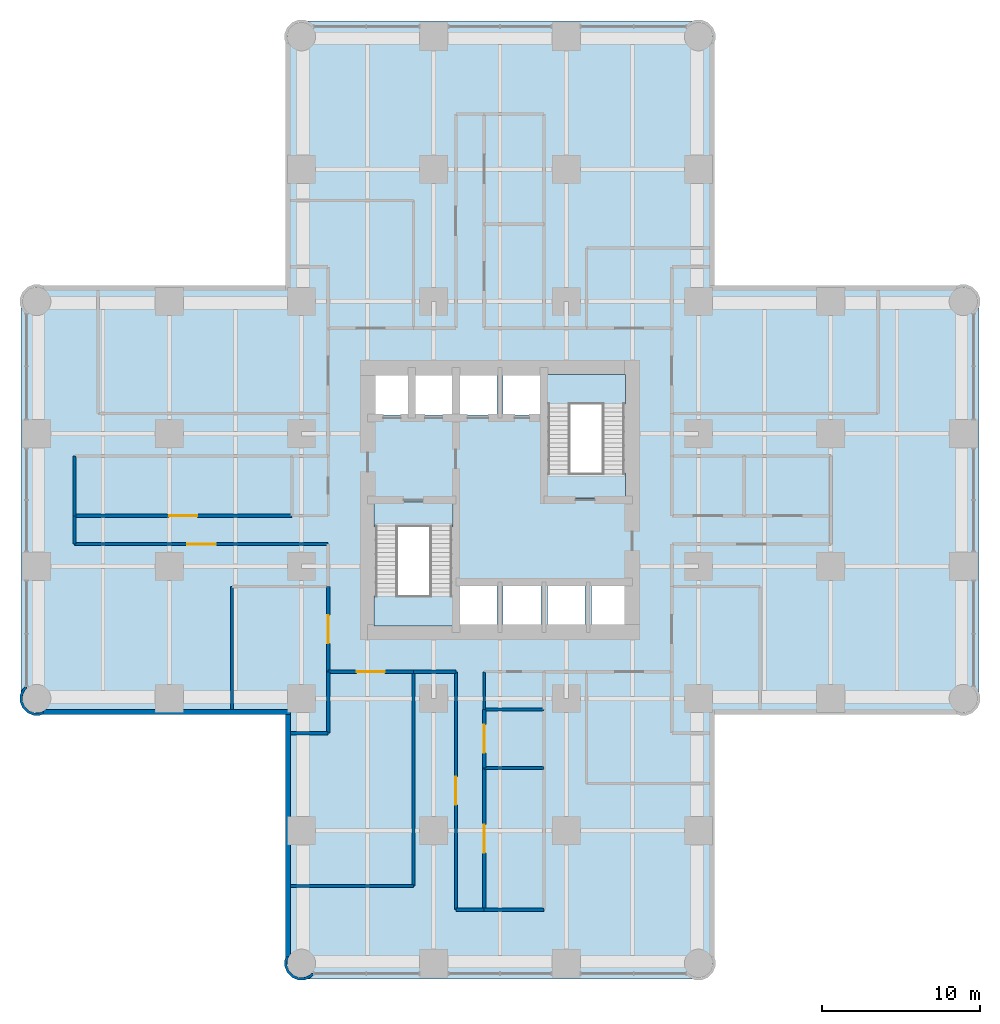
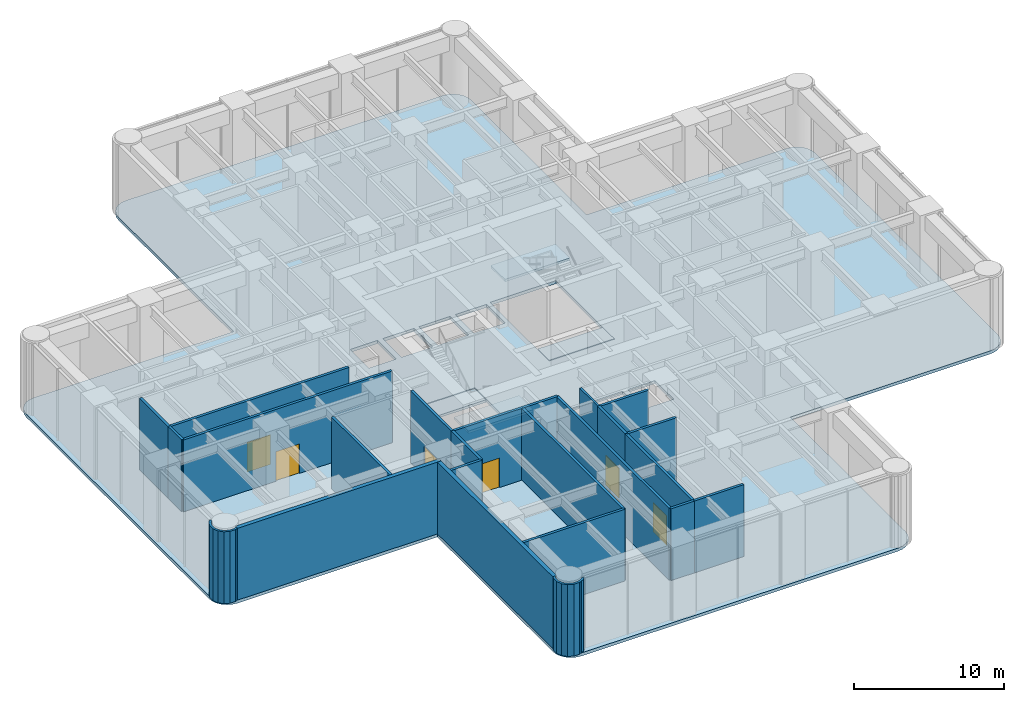
# One storey, part 6 of 11: 24 walls, 7 doors, 5 slabs, 7 openings, 2 elements without a shape of their own.
"""IFC4 building model written with IfcOpenShell, lengths in metres."""

import ifcopenshell
import ifcopenshell.guid

model = None  # the IFC model being written
_history = None  # IfcOwnerHistory: only IFC2X3 demands one
_inside = {}  # id of a spatial element -> (the spatial element, [elements in it])
_under = {}  # id of a project, library or spatial element -> (it, [spatial elements below it])
_declared = {}  # id of a project -> (the project, [libraries it declares])
_typed = {}  # id of a type object -> (the type object, [elements of that type])
_made_of = {}  # id of a material, layer set ... -> (it, [elements and type objects made of it])


def new_model(schema):
    """Start an empty IFC model of exactly this schema.

    Asked for "IFC4X3", IfcOpenShell would pick the latest addendum, in which some entities
    have other attributes; the version numbers below select the first issue.
    IFC2X3 requires an IfcOwnerHistory on every rooted entity: one is made here for all.
    """
    global model, _history
    if schema == "IFC4X3":
        model = ifcopenshell.file(schema_version=(4, 3, 0, 0))
    else:
        model = ifcopenshell.file(schema=schema)
    _inside.clear()
    _under.clear()
    _declared.clear()
    _typed.clear()
    _made_of.clear()
    _history = None
    if model.schema == "IFC2X3":
        org = make("IfcOrganization", Name="unknown")
        user = make(
            "IfcPersonAndOrganization",
            ThePerson=make("IfcPerson", FamilyName="unknown"),
            TheOrganization=org,
        )
        app = make(
            "IfcApplication",
            ApplicationDeveloper=org,
            Version="unknown",
            ApplicationFullName="unknown",
            ApplicationIdentifier="unknown",
        )
        _history = make(
            "IfcOwnerHistory",
            OwningUser=user,
            OwningApplication=app,
            ChangeAction="ADDED",
            CreationDate=0,
        )
    return model


def make(cls, **values):
    """One entity of the class cls with the attributes given. An attribute that is None is left unset."""
    return model.create_entity(
        cls, **{name: value for name, value in values.items() if value is not None}
    )


def rooted(cls, **values):
    """An entity with a GlobalId (a new one), such as an element, a storey or a relation."""
    return make(cls, GlobalId=ifcopenshell.guid.new(), OwnerHistory=_history, **values)


def si_unit(unit_type, name, prefix=None):
    """IfcSIUnit, for example si_unit("LENGTHUNIT", "METRE", prefix="MILLI")."""
    return make("IfcSIUnit", UnitType=unit_type, Prefix=prefix, Name=name)


def assignment(units):
    """IfcUnitAssignment: the units of a project."""
    return None if units is None else make("IfcUnitAssignment", Units=units)


def point(xyz):
    """IfcCartesianPoint."""
    return None if xyz is None else make("IfcCartesianPoint", Coordinates=xyz)


def direction(xyz):
    """IfcDirection."""
    return None if xyz is None else make("IfcDirection", DirectionRatios=xyz)


def frame(location, z_axis=None, x_axis=None):
    """IfcAxis2Placement3D, a coordinate frame: its origin and axes. An axis left out is left unset."""
    return make(
        "IfcAxis2Placement3D",
        Location=point(location),
        Axis=direction(z_axis),
        RefDirection=direction(x_axis),
    )


def frame_2d(location, x_axis=None):
    """IfcAxis2Placement2D, a coordinate frame in the plane: its origin and x axis."""
    return make(
        "IfcAxis2Placement2D", Location=point(location), RefDirection=direction(x_axis)
    )


def origin():
    """The frame at (0, 0, 0) with its axes left unset."""
    return frame((0.0, 0.0, 0.0))


def place(relative_to, where):
    """IfcLocalPlacement: puts the frame where relative to a parent placement (None: the world)."""
    return make(
        "IfcLocalPlacement", PlacementRelTo=relative_to, RelativePlacement=where
    )


def context(
    kind, dimensions, precision=None, world=None, true_north=None, identifier=None
):
    """IfcGeometricRepresentationContext, for example the 3D "Model" context."""
    return make(
        "IfcGeometricRepresentationContext",
        ContextIdentifier=identifier,
        ContextType=kind,
        CoordinateSpaceDimension=dimensions,
        Precision=precision,
        WorldCoordinateSystem=world,
        TrueNorth=true_north,
    )


def subcontext(parent, identifier, kind, view, scale=None):
    """IfcGeometricRepresentationSubContext, for example "Body" below "Model"."""
    return make(
        "IfcGeometricRepresentationSubContext",
        ContextIdentifier=identifier,
        ContextType=kind,
        ParentContext=parent,
        TargetScale=scale,
        TargetView=view,
    )


def project(units=None, contexts=None):
    """IfcProject with its units and contexts."""
    return rooted(
        "IfcProject",
        Name="project",
        RepresentationContexts=contexts,
        UnitsInContext=assignment(units),
    )


def spatial(cls, under=None, at=None, **own):
    """A site, building, storey or space (cls), placed at a placement, below another one or the project."""
    s = rooted(cls, ObjectPlacement=at, **own)
    if under is not None:
        _under.setdefault(under.id(), (under, []))[1].append(s)
    return s


def polyline(points):
    """IfcPolyline through the points."""
    return make("IfcPolyline", Points=[point(p) for p in points])


def profile(cls, at=None, kind="AREA", **sizes):
    """A parametric profile (cls). Its sizes go by their IFC names, for example OverallWidth=200.0."""
    return make(cls, ProfileType=kind, Position=at, **sizes)


def rectangle(**sizes):
    """IfcRectangleProfileDef."""
    return profile("IfcRectangleProfileDef", **sizes)


def outline(outer, holes=None, kind="AREA"):
    """IfcArbitraryClosedProfileDef: a profile drawn as a closed curve; with holes, ...WithVoids."""
    if holes is None:
        return make("IfcArbitraryClosedProfileDef", ProfileType=kind, OuterCurve=outer)
    return make(
        "IfcArbitraryProfileDefWithVoids",
        ProfileType=kind,
        OuterCurve=outer,
        InnerCurves=holes,
    )


def extrude(swept, where, along, depth):
    """IfcExtrudedAreaSolid: the profile swept, set in the frame where, extruded along a direction by depth."""
    return make(
        "IfcExtrudedAreaSolid",
        SweptArea=swept,
        Position=where,
        ExtrudedDirection=direction(along),
        Depth=depth,
    )


def shape(context_of_items, identifier, shape_type, items):
    """IfcShapeRepresentation: the items that make up one representation, for example the "Body"."""
    return make(
        "IfcShapeRepresentation",
        ContextOfItems=context_of_items,
        RepresentationIdentifier=identifier,
        RepresentationType=shape_type,
        Items=items,
    )


def material(Name=None, Category=None):
    """IfcMaterial."""
    return make("IfcMaterial", Name=Name, Category=Category)


def layer(
    of_material, thickness, ventilated=None, Name=None, Category=None, Priority=None
):
    """IfcMaterialLayer: one layer of a wall or slab, of a material (None: an air gap)."""
    return make(
        "IfcMaterialLayer",
        Material=of_material,
        LayerThickness=thickness,
        IsVentilated=ventilated,
        Name=Name,
        Category=Category,
        Priority=Priority,
    )


def layer_set(layers, Name=None):
    """IfcMaterialLayerSet."""
    return make("IfcMaterialLayerSet", MaterialLayers=layers, LayerSetName=Name)


def made_of(thing, what):
    """Note that an element or type object is made of a material, layer set ...; save() writes the relation."""
    if what is not None:
        _made_of.setdefault(what.id(), (what, []))[1].append(thing)
    return thing


def type_object(cls, material=None, **own):
    """A type object (cls), such as IfcWallType, which elements share."""
    return made_of(rooted(cls, **own), material)


def element(
    cls,
    number,
    at=None,
    inside=None,
    cuts=None,
    type_object=None,
    material=None,
    context=None,
    identifier="Body",
    shape_type=None,
    held_by="IfcProductDefinitionShape",
    body=None,
    shapes=None,
    **own,
):
    """One element of the class cls, such as IfcWall. Its Tag is "e" and its number.

    at: its placement. inside: the storey or other place that contains it. cuts: it is an
    opening in that element (IfcRelVoidsElement). A single representation is given by context,
    identifier, shape_type and body (its items); several are given by shapes. held_by: the class
    of the entity that holds the representations. save() writes the other relations.
    """
    e = rooted(cls, Tag="e%d" % number, ObjectPlacement=at, **own)
    if body is not None:
        shapes = [shape(context, identifier, shape_type, body)]
    if shapes is not None:
        e.Representation = make(held_by, Representations=shapes)
    if inside is not None:
        _inside.setdefault(inside.id(), (inside, []))[1].append(e)
    if cuts is not None:
        rooted(
            "IfcRelVoidsElement", RelatingBuildingElement=cuts, RelatedOpeningElement=e
        )
    if type_object is not None:
        _typed.setdefault(type_object.id(), (type_object, []))[1].append(e)
    return made_of(e, material)


def fill(opening, filler):
    """IfcRelFillsElement: the door or window that sits in an opening."""
    return rooted(
        "IfcRelFillsElement",
        RelatingOpeningElement=opening,
        RelatedBuildingElement=filler,
    )


def aggregate(whole, parts):
    """IfcRelAggregates: a whole, such as a stair, and the parts it consists of."""
    return rooted("IfcRelAggregates", RelatingObject=whole, RelatedObjects=parts)


def save(model, path):
    """Write the relations noted so far, then the file.

    IfcRelAggregates (storeys below a building ...), IfcRelContainedInSpatialStructure (elements
    in a storey), IfcRelDefinesByType, IfcRelAssociatesMaterial and IfcRelDeclares: one each for
    every whole, place, type object, material and project.
    """
    for whole, parts in _under.values():
        aggregate(whole, parts)
    for where, things in _inside.values():
        rooted(
            "IfcRelContainedInSpatialStructure",
            RelatedElements=things,
            RelatingStructure=where,
        )
    for kind, things in _typed.values():
        rooted("IfcRelDefinesByType", RelatedObjects=things, RelatingType=kind)
    for what, things in _made_of.values():
        rooted("IfcRelAssociatesMaterial", RelatedObjects=things, RelatingMaterial=what)
    for by, libraries in _declared.values():
        rooted("IfcRelDeclares", RelatingContext=by, RelatedDefinitions=libraries)
    model.write(path)


model = new_model("IFC4")

# Units and contexts
model_context = context("Model", 3, precision=1e-05, world=origin(), true_north=direction((0.0, 1.0)))
body_context = subcontext(model_context, "Body", "Model", "MODEL_VIEW")
ifc_project = project(units=[si_unit("LENGTHUNIT", "METRE"), si_unit("AREAUNIT", "SQUARE_METRE"), si_unit("VOLUMEUNIT", "CUBIC_METRE"), si_unit("PLANEANGLEUNIT", "RADIAN"), si_unit("MASSUNIT", "GRAM", prefix="KILO")], contexts=[model_context])

# Site, building, storey
site_placement = place(None, origin())
site = spatial("IfcSite", under=ifc_project, at=site_placement, CompositionType="ELEMENT")
building_placement = place(site_placement, origin())
building = spatial("IfcBuilding", under=site, at=building_placement, Name="Torre Alcanfor", CompositionType="ELEMENT")
storey_placement = place(building_placement, frame((0.0, 0.0, 28.5)))
storey = spatial("IfcBuildingStorey", under=building, at=storey_placement, Name="L06", CompositionType="ELEMENT", Elevation=28.5)

# Slab
ifc_material_1 = material(Name="Concrete f'c 35 MPa", Category="concrete")
ifc_layer_1 = layer(ifc_material_1, 0.25)
ifc_layer_set_1 = layer_set([ifc_layer_1], Name="Floor slab 250")
slab_type_1 = type_object("IfcSlabType", Name="Floor slab 250", PredefinedType="FLOOR", material=ifc_layer_set_1)
slab_1_placement = place(storey_placement, frame((0.0, 0.0, -0.25)))
element("IfcSlab", 1, at=slab_1_placement, inside=storey, type_object=slab_type_1, Name="Floor slab L06", PredefinedType="FLOOR", context=body_context, shape_type="SweptSolid", body=[
    extrude(outline(polyline([(15.800048828125, 43.0), (0.39990234375, 43.0), (0.03759765625, 42.952392578125), (-0.300048828125, 42.8125), (-0.58984375, 42.58984375), (-0.8125, 42.300048828125), (-0.952392578125, 41.96240234375), (-1.0, 41.60009765625), (-1.0, 17.199951171875), (-0.952392578125, 16.837646484375), (-0.8125, 16.5), (-0.58984375, 16.210205078125), (-0.300048828125, 15.987548828125), (0.03759765625, 15.84765625), (0.39990234375, 15.800048828125), (15.800048828125, 15.800048828125), (15.800048828125, 0.39990234375), (15.84765625, 0.03759765625), (15.987548828125, -0.300048828125), (16.210205078125, -0.58984375), (16.5, -0.8125), (16.837646484375, -0.952392578125), (17.199951171875, -1.0), (41.60009765625, -1.0), (41.96240234375, -0.952392578125), (42.300048828125, -0.8125), (42.58984375, -0.58984375), (42.8125, -0.300048828125), (42.952392578125, 0.03759765625), (43.0, 0.39990234375), (43.0, 15.800048828125), (58.39990234375, 15.800048828125), (58.76220703125, 15.84765625), (59.10009765625, 15.987548828125), (59.389892578125, 16.210205078125), (59.6123046875, 16.5), (59.752197265625, 16.837646484375), (59.800048828125, 17.199951171875), (59.800048828125, 41.60009765625), (59.752197265625, 41.96240234375), (59.6123046875, 42.300048828125), (59.389892578125, 42.58984375), (59.10009765625, 42.8125), (58.76220703125, 42.952392578125), (58.39990234375, 43.0), (43.0, 43.0), (43.0, 58.39990234375), (42.952392578125, 58.76220703125), (42.8125, 59.10009765625), (42.58984375, 59.389892578125), (42.300048828125, 59.6123046875), (41.96240234375, 59.752197265625), (41.60009765625, 59.800048828125), (17.199951171875, 59.800048828125), (16.837646484375, 59.752197265625), (16.5, 59.6123046875), (16.210205078125, 59.389892578125), (15.987548828125, 59.10009765625), (15.84765625, 58.76220703125), (15.800048828125, 58.39990234375), (15.800048828125, 43.0)]), holes=[polyline([(21.419921875, 21.419921875), (26.47998046875, 21.419921875), (26.47998046875, 29.280029296875), (21.419921875, 29.280029296875), (21.419921875, 21.419921875)]), polyline([(32.320068359375, 29.52001953125), (37.3798828125, 29.52001953125), (37.3798828125, 37.3798828125), (32.320068359375, 37.3798828125), (32.320068359375, 29.52001953125)]), polyline([(26.800048828125, 21.5), (29.199951171875, 21.5), (29.199951171875, 24.0), (26.800048828125, 24.0), (26.800048828125, 21.5)]), polyline([(29.60009765625, 21.5), (32.0, 21.5), (32.0, 24.0), (29.60009765625, 24.0), (29.60009765625, 21.5)]), polyline([(32.39990234375, 21.5), (34.800048828125, 21.5), (34.800048828125, 24.0), (32.39990234375, 24.0), (32.39990234375, 21.5)]), polyline([(35.199951171875, 21.5), (37.300048828125, 21.5), (37.300048828125, 24.0), (35.199951171875, 24.0), (35.199951171875, 21.5)]), polyline([(21.5, 34.800048828125), (23.60009765625, 34.800048828125), (23.60009765625, 37.300048828125), (21.5, 37.300048828125), (21.5, 34.800048828125)]), polyline([(24.0, 34.800048828125), (26.39990234375, 34.800048828125), (26.39990234375, 37.300048828125), (24.0, 37.300048828125), (24.0, 34.800048828125)]), polyline([(26.800048828125, 34.800048828125), (29.199951171875, 34.800048828125), (29.199951171875, 37.300048828125), (26.800048828125, 37.300048828125), (26.800048828125, 34.800048828125)]), polyline([(29.60009765625, 34.800048828125), (32.0, 34.800048828125), (32.0, 37.300048828125), (29.60009765625, 37.300048828125), (29.60009765625, 34.800048828125)])]), origin(), (0.0, 0.0, 1.0), 0.25),
])

# Stair, slabs
ifc_material_2 = material(Name="Concrete f'c 35 MPa", Category="concrete")
stair_type_1 = type_object("IfcStairType", Name="Exit stair S1 1400 wide", PredefinedType="HALF_TURN_STAIR", material=ifc_material_2)
stair_1_placement = place(storey_placement, origin())
stair_1 = element("IfcStair", 2, at=stair_1_placement, inside=storey, type_object=stair_type_1, Name="Stair S1 L06 to L07", PredefinedType="HALF_TURN_STAIR")
ifc_material_3 = material(Name="Concrete f'c 35 MPa", Category="concrete")
ifc_layer_2 = layer(ifc_material_3, 0.199951171875)
ifc_layer_set_2 = layer_set([ifc_layer_2], Name="Stair landing 200")
slab_type_2 = type_object("IfcSlabType", Name="Stair landing 200", PredefinedType="LANDING", material=ifc_layer_set_2)
slab_2_placement = place(storey_placement, frame((0.0, 0.0, -0.199951171875)))
slab_2 = element("IfcSlab", 3, at=slab_2_placement, type_object=slab_type_2, Name="S1 landing 1", PredefinedType="LANDING", context=body_context, shape_type="SweptSolid", body=[
    extrude(outline(polyline([(21.419921875, 27.699951171875), (26.429931640625, 27.699951171875), (26.429931640625, 29.22998046875), (21.419921875, 29.22998046875), (21.419921875, 27.699951171875)])), origin(), (0.0, 0.0, 1.0), 0.199951171875),
])
slab_3_placement = place(storey_placement, frame((0.0, 0.0, 2.800048828125)))
slab_3 = element("IfcSlab", 4, at=slab_3_placement, type_object=slab_type_2, Name="S1 landing 2", PredefinedType="LANDING", context=body_context, shape_type="SweptSolid", body=[
    extrude(outline(polyline([(21.419921875, 21.419921875), (26.429931640625, 21.419921875), (26.429931640625, 23.320068359375), (21.419921875, 23.320068359375), (21.419921875, 21.419921875)])), origin(), (0.0, 0.0, 1.0), 0.199951171875),
])
aggregate(stair_1, [slab_2, slab_3])

ifc_material_4 = material(Name="Concrete f'c 35 MPa", Category="concrete")
stair_type_2 = type_object("IfcStairType", Name="Exit stair S2 1400 wide", PredefinedType="HALF_TURN_STAIR", material=ifc_material_4)
stair_2_placement = place(storey_placement, origin())
stair_2 = element("IfcStair", 5, at=stair_2_placement, inside=storey, type_object=stair_type_2, Name="Stair S2 L06 to L07", PredefinedType="HALF_TURN_STAIR")
slab_4_placement = place(storey_placement, frame((0.0, 0.0, -0.199951171875)))
slab_4 = element("IfcSlab", 6, at=slab_4_placement, type_object=slab_type_2, Name="S2 landing 1", PredefinedType="LANDING", context=body_context, shape_type="SweptSolid", body=[
    extrude(outline(polyline([(32.3701171875, 29.570068359375), (37.3798828125, 29.570068359375), (37.3798828125, 31.10009765625), (32.3701171875, 31.10009765625), (32.3701171875, 29.570068359375)])), origin(), (0.0, 0.0, 1.0), 0.199951171875),
])
slab_5_placement = place(storey_placement, frame((0.0, 0.0, 2.800048828125)))
slab_5 = element("IfcSlab", 7, at=slab_5_placement, type_object=slab_type_2, Name="S2 landing 2", PredefinedType="LANDING", context=body_context, shape_type="SweptSolid", body=[
    extrude(outline(polyline([(32.3701171875, 35.47998046875), (37.3798828125, 35.47998046875), (37.3798828125, 37.3798828125), (32.3701171875, 37.3798828125), (32.3701171875, 35.47998046875)])), origin(), (0.0, 0.0, 1.0), 0.199951171875),
])
aggregate(stair_2, [slab_4, slab_5])

# Walls
ifc_material_5 = material(Name="Limestone cladding", Category="masonry")
ifc_layer_3 = layer(ifc_material_5, 0.0400390625, Name="Facing")
ifc_material_6 = material(Name="Ventilated air cavity")
ifc_layer_4 = layer(ifc_material_6, 0.02001953125, ventilated=True, Name="Ventilated joint")
ifc_material_7 = material(Name="Mineral wool insulation", Category="insulation")
ifc_layer_5 = layer(ifc_material_7, 0.10009765625, Name="Insulation")
ifc_material_8 = material(Name="Concrete f'c 35 MPa", Category="concrete")
ifc_layer_6 = layer(ifc_material_8, 0.139892578125, Name="Backing")
ifc_layer_set_3 = layer_set([ifc_layer_3, ifc_layer_4, ifc_layer_5, ifc_layer_6], Name="External wall stone-clad 300")
wall_type_1 = type_object("IfcWallType", Name="External wall stone-clad 300", PredefinedType="SOLIDWALL", material=ifc_layer_set_3)
wall_1_placement = place(storey_placement, frame((0.39990234375, 15.949951171875, 0.0), z_axis=(0.0, 0.0, 1.0), x_axis=(1.0, 0.0, 0.0)))
element("IfcWall", 8, at=wall_1_placement, inside=storey, type_object=wall_type_1, Name="External wall L06 3", PredefinedType="SOLIDWALL", context=body_context, shape_type="SweptSolid", body=[
    extrude(rectangle(XDim=15.7001953125, YDim=0.300048828125, at=frame_2d((7.85009765625, 0.0))), origin(), (0.0, 0.0, 1.0), 5.85009765625),
])
wall_2_placement = place(storey_placement, frame((15.949951171875, 15.800048828125, 0.0), z_axis=(0.0, 0.0, 1.0), x_axis=(0.0, -1.0, 0.0)))
element("IfcWall", 9, at=wall_2_placement, inside=storey, type_object=wall_type_1, Name="External wall L06 4", PredefinedType="SOLIDWALL", context=body_context, shape_type="SweptSolid", body=[
    extrude(rectangle(XDim=15.400146484375, YDim=0.300048828125, at=frame_2d((7.7001953125, 0.0))), origin(), (0.0, 0.0, 1.0), 5.85009765625),
])

# Wall, opening, door
ifc_material_9 = material(Name="Concrete block masonry, hollow blocks NMX-C-404 9 MPa", Category="masonry")
ifc_layer_7 = layer(ifc_material_9, 0.199951171875)
ifc_layer_set_4 = layer_set([ifc_layer_7], Name="Plant room wall 200 EI 60")
wall_type_2 = type_object("IfcWallType", Name="Plant room wall 200 EI 60", PredefinedType="PARTITIONING", material=ifc_layer_set_4)
wall_3_placement = place(storey_placement, frame((23.89990234375, 18.5, 0.0), z_axis=(0.0, 0.0, 1.0), x_axis=(-1.0, 0.0, 0.0)))
wall_3 = element("IfcWall", 10, at=wall_3_placement, inside=storey, type_object=wall_type_2, Name="Partition L06-CORR / L06-S1", PredefinedType="PARTITIONING", context=body_context, shape_type="SweptSolid", body=[
    extrude(rectangle(XDim=5.39990234375, YDim=0.199951171875, at=frame_2d((2.699951171875, 0.0))), origin(), (0.0, 0.0, 1.0), 5.85009765625),
])
opening_1_placement = place(wall_3_placement, frame((1.800048828125, 0.0, 0.0)))
opening_1 = element("IfcOpeningElement", 11, at=opening_1_placement, cuts=wall_3, Name="Opening D-P1", PredefinedType="OPENING", context=body_context, shape_type="SweptSolid", body=[
    extrude(rectangle(XDim=1.800048828125, YDim=2.39990234375, at=frame_2d((0.89990234375, 1.199951171875))), frame((0.0, 0.10986328125, 0.0), z_axis=(0.0, -1.0, 0.0), x_axis=(1.0, 0.0, 0.0)), (0.0, 0.0, 1.0), 0.219970703125),
])
ifc_material_10 = material(Name="Galvanised steel sheet ASTM A653", Category="steel")
door_type = type_object("IfcDoorType", Name="Plant room door FD60 1800x2400", OperationType="DOUBLE_DOOR_SINGLE_SWING", PredefinedType="DOOR", material=ifc_material_10)
door_1_placement = place(opening_1_placement, origin())
door_1 = element("IfcDoor", 12, at=door_1_placement, inside=storey, type_object=door_type, Name="Door L06-S1 smoke extract fan plant room", OperationType="DOUBLE_DOOR_SINGLE_SWING", OverallHeight=2.39990234375, OverallWidth=1.800048828125, PredefinedType="DOOR", context=body_context, shape_type="SweptSolid", body=[
    extrude(rectangle(XDim=1.800048828125, YDim=2.39990234375, at=frame_2d((0.89990234375, 1.199951171875))), frame((0.0, 0.02490234375, 0.0), z_axis=(0.0, -1.0, 0.0), x_axis=(1.0, 0.0, 0.0)), (0.0, 0.0, 1.0), 0.050048828125),
])
fill(opening_1, door_1)

# Wall
wall_4_placement = place(storey_placement, frame((26.60009765625, 18.5, 0.0), z_axis=(0.0, 0.0, 1.0), x_axis=(-1.0, 0.0, 0.0)))
element("IfcWall", 13, at=wall_4_placement, inside=storey, type_object=wall_type_2, Name="Partition L06-CORR / L06-SH", PredefinedType="PARTITIONING", context=body_context, shape_type="SweptSolid", body=[
    extrude(rectangle(XDim=2.7001953125, YDim=0.199951171875, at=frame_2d((1.35009765625, 0.0))), origin(), (0.0, 0.0, 1.0), 5.85009765625),
])

# Wall, opening, door
wall_5_placement = place(storey_placement, frame((18.5, 18.5, 0.0), z_axis=(0.0, 0.0, 1.0), x_axis=(0.0, 1.0, 0.0)))
wall_5 = element("IfcWall", 14, at=wall_5_placement, inside=storey, type_object=wall_type_2, Name="Partition L06-CORR / L06-W1", PredefinedType="PARTITIONING", context=body_context, shape_type="SweptSolid", body=[
    extrude(rectangle(XDim=5.39990234375, YDim=0.199951171875, at=frame_2d((2.699951171875, 0.0))), origin(), (0.0, 0.0, 1.0), 5.85009765625),
])
opening_2_placement = place(wall_5_placement, frame((1.800048828125, 0.0, 0.0)))
opening_2 = element("IfcOpeningElement", 15, at=opening_2_placement, cuts=wall_5, Name="Opening D-P1", PredefinedType="OPENING", context=body_context, shape_type="SweptSolid", body=[
    extrude(rectangle(XDim=1.800048828125, YDim=2.39990234375, at=frame_2d((0.89990234375, 1.199951171875))), frame((0.0, 0.10986328125, 0.0), z_axis=(0.0, -1.0, 0.0), x_axis=(1.0, 0.0, 0.0)), (0.0, 0.0, 1.0), 0.219970703125),
])
door_2_placement = place(opening_2_placement, origin())
door_2 = element("IfcDoor", 16, at=door_2_placement, inside=storey, type_object=door_type, Name="Door L06-W1 school water treatment plant room", OperationType="DOUBLE_DOOR_SINGLE_SWING", OverallHeight=2.39990234375, OverallWidth=1.800048828125, PredefinedType="DOOR", context=body_context, shape_type="SweptSolid", body=[
    extrude(rectangle(XDim=1.800048828125, YDim=2.39990234375, at=frame_2d((0.89990234375, 1.199951171875))), frame((0.0, 0.02490234375, 0.0), z_axis=(0.0, -1.0, 0.0), x_axis=(1.0, 0.0, 0.0)), (0.0, 0.0, 1.0), 0.050048828125),
])
fill(opening_2, door_2)

# Walls
wall_6_placement = place(storey_placement, frame((23.89990234375, 18.5, 0.0), z_axis=(0.0, 0.0, 1.0), x_axis=(0.0, -1.0, 0.0)))
element("IfcWall", 17, at=wall_6_placement, inside=storey, type_object=wall_type_2, Name="Partition L06-S1 / L06-SH", PredefinedType="PARTITIONING", context=body_context, shape_type="SweptSolid", body=[
    extrude(rectangle(XDim=13.60009765625, YDim=0.199951171875, at=frame_2d((6.800048828125, 0.0))), origin(), (0.0, 0.0, 1.0), 5.85009765625),
])
wall_7_placement = place(storey_placement, frame((23.89990234375, 4.89990234375, 0.0), z_axis=(0.0, 0.0, 1.0), x_axis=(-1.0, 0.0, 0.0)))
element("IfcWall", 18, at=wall_7_placement, inside=storey, type_object=wall_type_2, Name="Partition L06-S1 / L06-SH", PredefinedType="PARTITIONING", context=body_context, shape_type="SweptSolid", body=[
    extrude(rectangle(XDim=7.7998046875, YDim=0.199951171875, at=frame_2d((3.89990234375, 0.0))), origin(), (0.0, 0.0, 1.0), 5.85009765625),
])
wall_8_placement = place(storey_placement, frame((16.10009765625, 14.60009765625, 0.0), z_axis=(0.0, 0.0, 1.0), x_axis=(1.0, 0.0, 0.0)))
element("IfcWall", 19, at=wall_8_placement, inside=storey, type_object=wall_type_2, Name="Partition L06-S1 / L06-W1", PredefinedType="PARTITIONING", context=body_context, shape_type="SweptSolid", body=[
    extrude(rectangle(XDim=2.39990234375, YDim=0.199951171875, at=frame_2d((1.199951171875, 0.0))), origin(), (0.0, 0.0, 1.0), 5.85009765625),
])
wall_9_placement = place(storey_placement, frame((18.5, 14.60009765625, 0.0), z_axis=(0.0, 0.0, 1.0), x_axis=(0.0, 1.0, 0.0)))
element("IfcWall", 20, at=wall_9_placement, inside=storey, type_object=wall_type_2, Name="Partition L06-S1 / L06-W1", PredefinedType="PARTITIONING", context=body_context, shape_type="SweptSolid", body=[
    extrude(rectangle(XDim=3.89990234375, YDim=0.199951171875, at=frame_2d((1.949951171875, 0.0))), origin(), (0.0, 0.0, 1.0), 5.85009765625),
])

# Wall, opening, door
wall_10_placement = place(storey_placement, frame((28.39990234375, 16.10009765625, 0.0), z_axis=(0.0, 0.0, 1.0), x_axis=(0.0, -1.0, 0.0)))
wall_10 = element("IfcWall", 21, at=wall_10_placement, inside=storey, type_object=wall_type_2, Name="Partition L06-SC / L06-S4", PredefinedType="PARTITIONING", context=body_context, shape_type="SweptSolid", body=[
    extrude(rectangle(XDim=3.7001953125, YDim=0.199951171875, at=frame_2d((1.85009765625, 0.0))), origin(), (0.0, 0.0, 1.0), 5.85009765625),
])
opening_3_placement = place(wall_10_placement, frame((0.949951171875, 0.0, 0.0)))
opening_3 = element("IfcOpeningElement", 22, at=opening_3_placement, cuts=wall_10, Name="Opening D-P1", PredefinedType="OPENING", context=body_context, shape_type="SweptSolid", body=[
    extrude(rectangle(XDim=1.800048828125, YDim=2.39990234375, at=frame_2d((0.89990234375, 1.199951171875))), frame((0.0, 0.10986328125, 0.0), z_axis=(0.0, -1.0, 0.0), x_axis=(1.0, 0.0, 0.0)), (0.0, 0.0, 1.0), 0.219970703125),
])
door_3_placement = place(opening_3_placement, origin())
door_3 = element("IfcDoor", 23, at=door_3_placement, inside=storey, type_object=door_type, Name="Door L06-S4 electrical riser room", OperationType="DOUBLE_DOOR_SINGLE_SWING", OverallHeight=2.39990234375, OverallWidth=1.800048828125, PredefinedType="DOOR", context=body_context, shape_type="SweptSolid", body=[
    extrude(rectangle(XDim=1.800048828125, YDim=2.39990234375, at=frame_2d((0.89990234375, 1.199951171875))), frame((0.0, 0.02490234375, 0.0), z_axis=(0.0, -1.0, 0.0), x_axis=(1.0, 0.0, 0.0)), (0.0, 0.0, 1.0), 0.050048828125),
])
fill(opening_3, door_3)

wall_11_placement = place(storey_placement, frame((28.39990234375, 12.39990234375, 0.0), z_axis=(0.0, 0.0, 1.0), x_axis=(0.0, -1.0, 0.0)))
wall_11 = element("IfcWall", 24, at=wall_11_placement, inside=storey, type_object=wall_type_2, Name="Partition L06-SC / L06-S5", PredefinedType="PARTITIONING", context=body_context, shape_type="SweptSolid", body=[
    extrude(rectangle(XDim=9.0, YDim=0.199951171875, at=frame_2d((4.5, 0.0))), origin(), (0.0, 0.0, 1.0), 5.85009765625),
])
opening_4_placement = place(wall_11_placement, frame((3.60009765625, 0.0, 0.0)))
opening_4 = element("IfcOpeningElement", 25, at=opening_4_placement, cuts=wall_11, Name="Opening D-P1", PredefinedType="OPENING", context=body_context, shape_type="SweptSolid", body=[
    extrude(rectangle(XDim=1.800048828125, YDim=2.39990234375, at=frame_2d((0.89990234375, 1.199951171875))), frame((0.0, 0.10986328125, 0.0), z_axis=(0.0, -1.0, 0.0), x_axis=(1.0, 0.0, 0.0)), (0.0, 0.0, 1.0), 0.219970703125),
])
door_4_placement = place(opening_4_placement, origin())
door_4 = element("IfcDoor", 26, at=door_4_placement, inside=storey, type_object=door_type, Name="Door L06-S5 plant store", OperationType="DOUBLE_DOOR_SINGLE_SWING", OverallHeight=2.39990234375, OverallWidth=1.800048828125, PredefinedType="DOOR", context=body_context, shape_type="SweptSolid", body=[
    extrude(rectangle(XDim=1.800048828125, YDim=2.39990234375, at=frame_2d((0.89990234375, 1.199951171875))), frame((0.0, 0.02490234375, 0.0), z_axis=(0.0, -1.0, 0.0), x_axis=(1.0, 0.0, 0.0)), (0.0, 0.0, 1.0), 0.050048828125),
])
fill(opening_4, door_4)

# Wall
wall_12_placement = place(storey_placement, frame((28.39990234375, 3.39990234375, 0.0), z_axis=(0.0, 0.0, 1.0), x_axis=(-1.0, 0.0, 0.0)))
element("IfcWall", 27, at=wall_12_placement, inside=storey, type_object=wall_type_2, Name="Partition L06-SC / L06-SH", PredefinedType="PARTITIONING", context=body_context, shape_type="SweptSolid", body=[
    extrude(rectangle(XDim=1.7998046875, YDim=0.199951171875, at=frame_2d((0.89990234375, 0.0))), origin(), (0.0, 0.0, 1.0), 5.85009765625),
])

# Wall, opening, door
wall_13_placement = place(storey_placement, frame((26.60009765625, 3.39990234375, 0.0), z_axis=(0.0, 0.0, 1.0), x_axis=(0.0, 1.0, 0.0)))
wall_13 = element("IfcWall", 28, at=wall_13_placement, inside=storey, type_object=wall_type_2, Name="Partition L06-SC / L06-SH", PredefinedType="PARTITIONING", context=body_context, shape_type="SweptSolid", body=[
    extrude(rectangle(XDim=15.10009765625, YDim=0.199951171875, at=frame_2d((7.550048828125, 0.0))), origin(), (0.0, 0.0, 1.0), 5.85009765625),
])
opening_5_placement = place(wall_13_placement, frame((6.64990234375, 0.0, 0.0)))
opening_5 = element("IfcOpeningElement", 29, at=opening_5_placement, cuts=wall_13, Name="Opening D-P1", PredefinedType="OPENING", context=body_context, shape_type="SweptSolid", body=[
    extrude(rectangle(XDim=1.800048828125, YDim=2.39990234375, at=frame_2d((0.89990234375, 1.199951171875))), frame((0.0, 0.10986328125, 0.0), z_axis=(0.0, -1.0, 0.0), x_axis=(1.0, 0.0, 0.0)), (0.0, 0.0, 1.0), 0.219970703125),
])
door_5_placement = place(opening_5_placement, origin())
door_5 = element("IfcDoor", 30, at=door_5_placement, inside=storey, type_object=door_type, Name="Door L06-SH air handling plant room", OperationType="DOUBLE_DOOR_SINGLE_SWING", OverallHeight=2.39990234375, OverallWidth=1.800048828125, PredefinedType="DOOR", context=body_context, shape_type="SweptSolid", body=[
    extrude(rectangle(XDim=1.800048828125, YDim=2.39990234375, at=frame_2d((0.89990234375, 1.199951171875))), frame((0.0, 0.02490234375, 0.0), z_axis=(0.0, -1.0, 0.0), x_axis=(1.0, 0.0, 0.0)), (0.0, 0.0, 1.0), 0.050048828125),
])
fill(opening_5, door_5)

# Walls
for number, where, z_axis, x_axis, name in (
    (31, (32.199951171875, 16.10009765625, 0.0), (0.0, 0.0, 1.0), (-1.0, 0.0, 0.0), "Partition L06-S3 / L06-S4"),
    (32, (32.199951171875, 12.39990234375, 0.0), (0.0, 0.0, 1.0), (-1.0, 0.0, 0.0), "Partition L06-S4 / L06-S5"),
    (33, (32.199951171875, 3.39990234375, 0.0), (0.0, 0.0, 1.0), (-1.0, 0.0, 0.0), "Partition L06-S5 / L06-SH"),
):
    element("IfcWall", number, at=place(storey_placement, frame(where, z_axis=z_axis, x_axis=x_axis)), inside=storey, type_object=wall_type_2, Name=name, PredefinedType="PARTITIONING", context=body_context, shape_type="SweptSolid", body=[
        extrude(rectangle(XDim=3.800048828125, YDim=0.199951171875, at=frame_2d((1.89990234375, 0.0))), origin(), (0.0, 0.0, 1.0), 5.85009765625),
    ])
wall_14_placement = place(storey_placement, frame((12.39990234375, 16.10009765625, 0.0), z_axis=(0.0, 0.0, 1.0), x_axis=(0.0, 1.0, 0.0)))
element("IfcWall", 34, at=wall_14_placement, inside=storey, type_object=wall_type_2, Name="Partition L06-W1 / L06-WH", PredefinedType="PARTITIONING", context=body_context, shape_type="SweptSolid", body=[
    extrude(rectangle(XDim=7.7998046875, YDim=0.199951171875, at=frame_2d((3.89990234375, 0.0))), origin(), (0.0, 0.0, 1.0), 5.85009765625),
])

# Wall, opening, door
wall_15_placement = place(storey_placement, frame((2.39990234375, 28.39990234375, 0.0), z_axis=(0.0, 0.0, 1.0), x_axis=(1.0, 0.0, 0.0)))
wall_15 = element("IfcWall", 35, at=wall_15_placement, inside=storey, type_object=wall_type_2, Name="Partition L06-WC / L06-REF", PredefinedType="PARTITIONING", context=body_context, shape_type="SweptSolid", body=[
    extrude(rectangle(XDim=13.800048828125, YDim=0.199951171875, at=frame_2d((6.89990234375, 0.0))), origin(), (0.0, 0.0, 1.0), 5.85009765625),
])
opening_6_placement = place(wall_15_placement, frame((6.0, 0.0, 0.0)))
opening_6 = element("IfcOpeningElement", 36, at=opening_6_placement, cuts=wall_15, Name="Opening D-P1", PredefinedType="OPENING", context=body_context, shape_type="SweptSolid", body=[
    extrude(rectangle(XDim=1.800048828125, YDim=2.39990234375, at=frame_2d((0.89990234375, 1.199951171875))), frame((0.0, 0.10986328125, 0.0), z_axis=(0.0, -1.0, 0.0), x_axis=(1.0, 0.0, 0.0)), (0.0, 0.0, 1.0), 0.219970703125),
])
door_6_placement = place(opening_6_placement, frame((1.800048828125, 0.0, 0.0), z_axis=(0.0, 0.0, 1.0), x_axis=(-1.0, 0.0, 0.0)))
door_6 = element("IfcDoor", 37, at=door_6_placement, inside=storey, type_object=door_type, Name="Door L06-REF refuge area", OperationType="DOUBLE_DOOR_SINGLE_SWING", OverallHeight=2.39990234375, OverallWidth=1.800048828125, PredefinedType="DOOR", context=body_context, shape_type="SweptSolid", body=[
    extrude(rectangle(XDim=1.800048828125, YDim=2.39990234375, at=frame_2d((0.900146484375, 1.199951171875))), frame((0.0, 0.025146484375, 0.0), z_axis=(0.0, -1.0, 0.0), x_axis=(1.0, 0.0, 0.0)), (0.0, 0.0, 1.0), 0.050048828125),
])
fill(opening_6, door_6)

wall_16_placement = place(storey_placement, frame((18.5, 26.60009765625, 0.0), z_axis=(0.0, 0.0, 1.0), x_axis=(-1.0, 0.0, 0.0)))
wall_16 = element("IfcWall", 38, at=wall_16_placement, inside=storey, type_object=wall_type_2, Name="Partition L06-WC / L06-WH", PredefinedType="PARTITIONING", context=body_context, shape_type="SweptSolid", body=[
    extrude(rectangle(XDim=16.10009765625, YDim=0.199951171875, at=frame_2d((8.050048828125, 0.0))), origin(), (0.0, 0.0, 1.0), 5.85009765625),
])
opening_7_placement = place(wall_16_placement, frame((7.14990234375, 0.0, 0.0)))
opening_7 = element("IfcOpeningElement", 39, at=opening_7_placement, cuts=wall_16, Name="Opening D-P1", PredefinedType="OPENING", context=body_context, shape_type="SweptSolid", body=[
    extrude(rectangle(XDim=1.800048828125, YDim=2.39990234375, at=frame_2d((0.89990234375, 1.199951171875))), frame((0.0, 0.10986328125, 0.0), z_axis=(0.0, -1.0, 0.0), x_axis=(1.0, 0.0, 0.0)), (0.0, 0.0, 1.0), 0.219970703125),
])
door_7_placement = place(opening_7_placement, origin())
door_7 = element("IfcDoor", 40, at=door_7_placement, inside=storey, type_object=door_type, Name="Door L06-WH air handling plant room", OperationType="DOUBLE_DOOR_SINGLE_SWING", OverallHeight=2.39990234375, OverallWidth=1.800048828125, PredefinedType="DOOR", context=body_context, shape_type="SweptSolid", body=[
    extrude(rectangle(XDim=1.800048828125, YDim=2.39990234375, at=frame_2d((0.89990234375, 1.199951171875))), frame((0.0, 0.02490234375, 0.0), z_axis=(0.0, -1.0, 0.0), x_axis=(1.0, 0.0, 0.0)), (0.0, 0.0, 1.0), 0.050048828125),
])
fill(opening_7, door_7)

# Walls
wall_17_placement = place(storey_placement, frame((2.39990234375, 26.60009765625, 0.0), z_axis=(0.0, 0.0, 1.0), x_axis=(0.0, 1.0, 0.0)))
element("IfcWall", 41, at=wall_17_placement, inside=storey, type_object=wall_type_2, Name="Partition L06-WC / L06-WH", PredefinedType="PARTITIONING", context=body_context, shape_type="SweptSolid", body=[
    extrude(rectangle(XDim=1.7998046875, YDim=0.199951171875, at=frame_2d((0.89990234375, 0.0))), origin(), (0.0, 0.0, 1.0), 5.85009765625),
])
wall_18_placement = place(storey_placement, frame((2.39990234375, 28.39990234375, 0.0), z_axis=(0.0, 0.0, 1.0), x_axis=(0.0, 1.0, 0.0)))
element("IfcWall", 42, at=wall_18_placement, inside=storey, type_object=wall_type_2, Name="Partition L06-REF / L06-WH", PredefinedType="PARTITIONING", context=body_context, shape_type="SweptSolid", body=[
    extrude(rectangle(XDim=3.800048828125, YDim=0.199951171875, at=frame_2d((1.89990234375, 0.0))), origin(), (0.0, 0.0, 1.0), 5.85009765625),
])
ifc_layer_8 = layer(ifc_material_5, 0.0400390625, Name="Facing")
ifc_layer_9 = layer(ifc_material_6, 0.02001953125, ventilated=True, Name="Ventilated joint")
ifc_layer_10 = layer(ifc_material_7, 0.10009765625, Name="Insulation")
ifc_layer_11 = layer(ifc_material_8, 0.139892578125, Name="Backing")
ifc_layer_set_5 = layer_set([ifc_layer_8, ifc_layer_9, ifc_layer_10, ifc_layer_11], Name="Rounded corner pier stone-clad 300")
wall_type_3 = type_object("IfcWallType", Name="Rounded corner pier stone-clad 300", PredefinedType="SOLIDWALL", material=ifc_layer_set_5)
wall_19_placement = place(storey_placement, frame((-0.688559409, 17.497342054, 0.0), z_axis=(0.0, 0.0, 1.0), x_axis=(-0.924062475919, -0.382241468967, 0.0)))
element("IfcWall", 43, at=wall_19_placement, inside=storey, type_object=wall_type_3, Name="Corner pier L06 14", PredefinedType="SOLIDWALL", context=body_context, shape_type="SweptSolid", body=[
    extrude(outline(polyline([(-0.3570308062640998, 1.9844601999483829), (-0.4586108897046983, 1.8085111710137856), (-0.19088220194290517, 1.8087298311268036), (0.1403003455789757, 1.6717350859014537), (0.3939949437877942, 1.4183110661616056), (0.5313021227958318, 1.087270173878482), (0.5312282398864143, 0.7287764619856935), (0.39423349466106444, 0.39759391446381254), (0.1411283967827608, 0.14403159677426958), (-0.007808112558490409, 0.08225659427258022), (-0.0574547096020096, -0.03776323902554009), (0.03030415346748063, -0.07406498009683514), (0.2312249262404748, 0.009271747046771445), (0.382616669837127, 0.16065296577770188), (0.4014656912619958, 0.15576224585259163), (0.41018980178003334, 0.18834938101918147), (0.5292871042320427, 0.3076462833212711), (0.6904519032812113, 0.6972595391593421), (0.690175986879624, 1.1187784014831543), (0.5285291923248824, 1.5085009162904541), (0.23015465605038266, 1.806563094282022), (-0.15923299859727835, 1.9676345726600561), (-0.32780321525834943, 1.9676144465755852), (-0.3570308062640998, 1.9844601999483829)])), origin(), (0.0, 0.0, 1.0), 5.85009765625),
])
wall_20_placement = place(storey_placement, frame((15.890092843, 0.363962863, 0.0), z_axis=(0.0, 0.0, 1.0), x_axis=(-0.382241468967, -0.924062475919, 0.0)))
element("IfcWall", 44, at=wall_20_placement, inside=storey, type_object=wall_type_3, Name="Corner pier L06 15", PredefinedType="SOLIDWALL", context=body_context, shape_type="SweptSolid", body=[
    extrude(outline(polyline([(0.3504309246579823, 1.805259750432912), (0.49936743399923345, 1.7434847479312228), (0.7524725318775372, 1.4899224302416796), (0.8894672771028871, 1.1587398827197988), (0.8895411600123044, 0.8002461708270103), (0.752233981004267, 0.4692052785438866), (0.4985393827954484, 0.2157812588040385), (0.1673568352735675, 0.07878651357868856), (-0.10037185248822561, 0.07900517369170659), (0.0012082309523729837, -0.09694385524289054), (0.030435821958123246, -0.08009810187009297), (0.19900603861919436, -0.08011822795456387), (0.5883936932668554, 0.08095325042347021), (0.886768229541355, 0.37901542841503816), (1.0484150240960965, 0.7687379432223379), (1.048690940497684, 1.1902568055461502), (0.8875261414485156, 1.5798700613842214), (0.7684288389965059, 1.6991669636863107), (0.7597047284784685, 1.7317540988529005), (0.7408557070535996, 1.7268633789277903), (0.5894639634569474, 1.8782445976587208), (0.38854319068395327, 1.9615813248023275), (0.30078432761446317, 1.9252795837310324), (0.3504309246579823, 1.805259750432912)])), origin(), (0.0, 0.0, 1.0), 5.85009765625),
])
ifc_material_11 = material(Name="Cement board on steel studs", Category="steel")
ifc_layer_12 = layer(ifc_material_11, 0.14990234375)
ifc_layer_set_6 = layer_set([ifc_layer_12], Name="Wet area partition 150")
wall_type_4 = type_object("IfcWallType", Name="Wet area partition 150", PredefinedType="PARTITIONING", material=ifc_layer_set_6)
wall_21_placement = place(storey_placement, frame((28.39990234375, 18.5, 0.0), z_axis=(0.0, 0.0, 1.0), x_axis=(0.0, -1.0, 0.0)))
element("IfcWall", 45, at=wall_21_placement, inside=storey, type_object=wall_type_4, Name="Partition L06-SC / L06-S3", PredefinedType="PARTITIONING", context=body_context, shape_type="SweptSolid", body=[
    extrude(rectangle(XDim=2.39990234375, YDim=0.14990234375, at=frame_2d((1.199951171875, 0.0))), origin(), (0.0, 0.0, 1.0), 5.85009765625),
])

save(model, "model.ifc")
